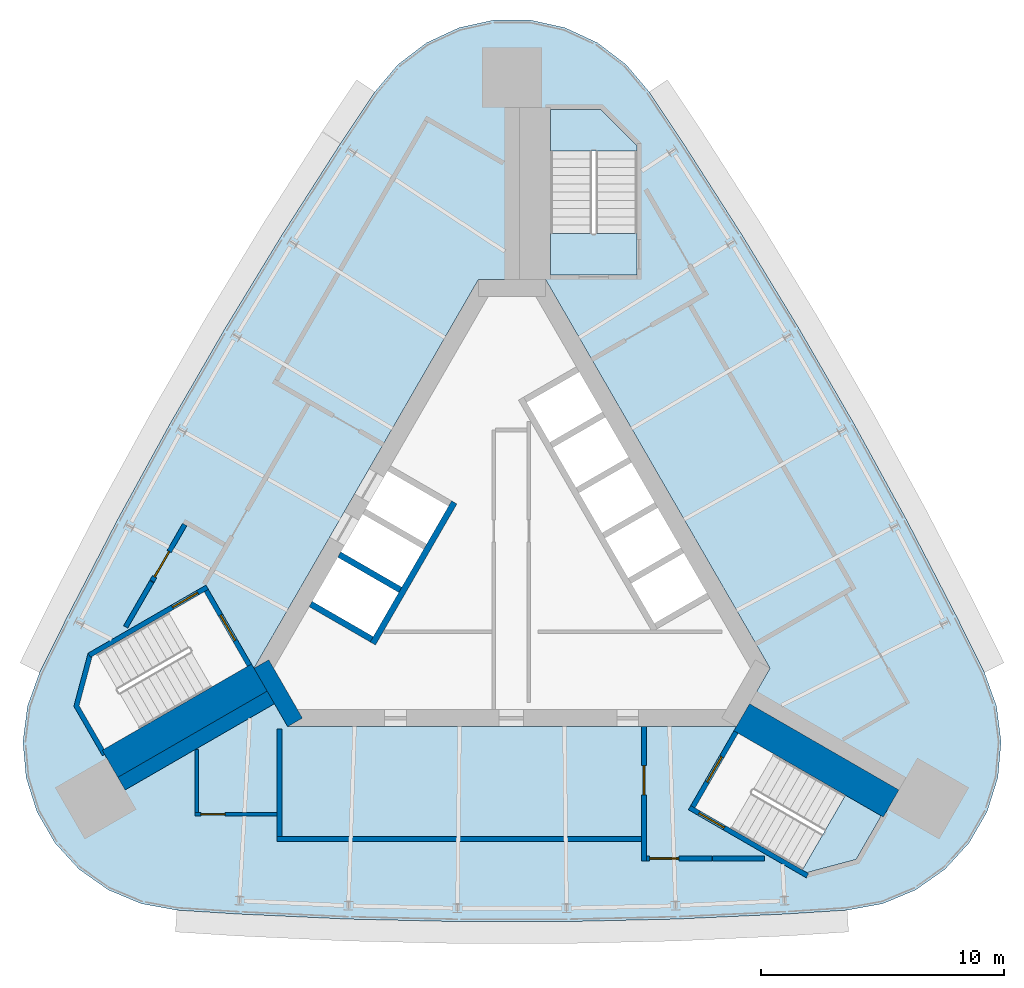
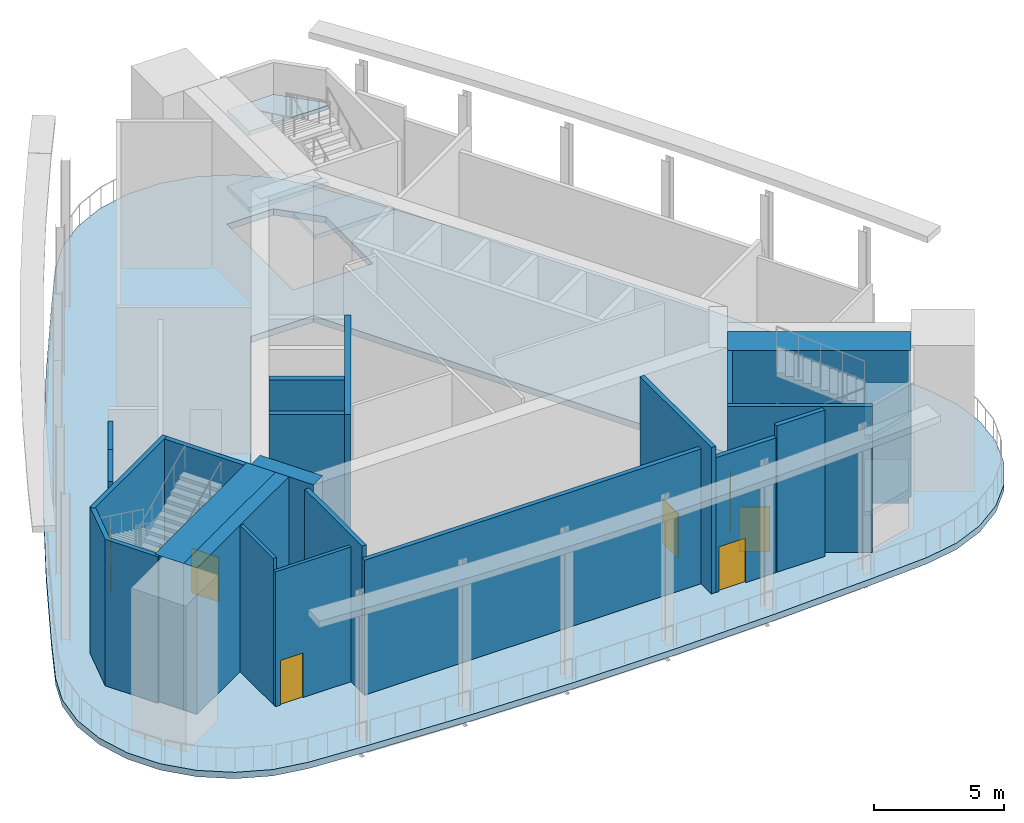
# One storey, part 2 of 7: 21 walls, 8 doors, 6 slabs, 8 openings, 2 elements without a shape of their own.
"""IFC4 building model written with IfcOpenShell, lengths in metres."""

import ifcopenshell
import ifcopenshell.guid

model = None  # the IFC model being written
_history = None  # IfcOwnerHistory: only IFC2X3 demands one
_inside = {}  # id of a spatial element -> (the spatial element, [elements in it])
_under = {}  # id of a project, library or spatial element -> (it, [spatial elements below it])
_declared = {}  # id of a project -> (the project, [libraries it declares])
_typed = {}  # id of a type object -> (the type object, [elements of that type])
_made_of = {}  # id of a material, layer set ... -> (it, [elements and type objects made of it])


def new_model(schema):
    """Start an empty IFC model of exactly this schema.

    Asked for "IFC4X3", IfcOpenShell would pick the latest addendum, in which some entities
    have other attributes; the version numbers below select the first issue.
    IFC2X3 requires an IfcOwnerHistory on every rooted entity: one is made here for all.
    """
    global model, _history
    if schema == "IFC4X3":
        model = ifcopenshell.file(schema_version=(4, 3, 0, 0))
    else:
        model = ifcopenshell.file(schema=schema)
    _inside.clear()
    _under.clear()
    _declared.clear()
    _typed.clear()
    _made_of.clear()
    _history = None
    if model.schema == "IFC2X3":
        org = make("IfcOrganization", Name="unknown")
        user = make(
            "IfcPersonAndOrganization",
            ThePerson=make("IfcPerson", FamilyName="unknown"),
            TheOrganization=org,
        )
        app = make(
            "IfcApplication",
            ApplicationDeveloper=org,
            Version="unknown",
            ApplicationFullName="unknown",
            ApplicationIdentifier="unknown",
        )
        _history = make(
            "IfcOwnerHistory",
            OwningUser=user,
            OwningApplication=app,
            ChangeAction="ADDED",
            CreationDate=0,
        )
    return model


def make(cls, **values):
    """One entity of the class cls with the attributes given. An attribute that is None is left unset."""
    return model.create_entity(
        cls, **{name: value for name, value in values.items() if value is not None}
    )


def rooted(cls, **values):
    """An entity with a GlobalId (a new one), such as an element, a storey or a relation."""
    return make(cls, GlobalId=ifcopenshell.guid.new(), OwnerHistory=_history, **values)


def si_unit(unit_type, name, prefix=None):
    """IfcSIUnit, for example si_unit("LENGTHUNIT", "METRE", prefix="MILLI")."""
    return make("IfcSIUnit", UnitType=unit_type, Prefix=prefix, Name=name)


def assignment(units):
    """IfcUnitAssignment: the units of a project."""
    return None if units is None else make("IfcUnitAssignment", Units=units)


def point(xyz):
    """IfcCartesianPoint."""
    return None if xyz is None else make("IfcCartesianPoint", Coordinates=xyz)


def direction(xyz):
    """IfcDirection."""
    return None if xyz is None else make("IfcDirection", DirectionRatios=xyz)


def frame(location, z_axis=None, x_axis=None):
    """IfcAxis2Placement3D, a coordinate frame: its origin and axes. An axis left out is left unset."""
    return make(
        "IfcAxis2Placement3D",
        Location=point(location),
        Axis=direction(z_axis),
        RefDirection=direction(x_axis),
    )


def frame_2d(location, x_axis=None):
    """IfcAxis2Placement2D, a coordinate frame in the plane: its origin and x axis."""
    return make(
        "IfcAxis2Placement2D", Location=point(location), RefDirection=direction(x_axis)
    )


def origin():
    """The frame at (0, 0, 0) with its axes left unset."""
    return frame((0.0, 0.0, 0.0))


def place(relative_to, where):
    """IfcLocalPlacement: puts the frame where relative to a parent placement (None: the world)."""
    return make(
        "IfcLocalPlacement", PlacementRelTo=relative_to, RelativePlacement=where
    )


def context(
    kind, dimensions, precision=None, world=None, true_north=None, identifier=None
):
    """IfcGeometricRepresentationContext, for example the 3D "Model" context."""
    return make(
        "IfcGeometricRepresentationContext",
        ContextIdentifier=identifier,
        ContextType=kind,
        CoordinateSpaceDimension=dimensions,
        Precision=precision,
        WorldCoordinateSystem=world,
        TrueNorth=true_north,
    )


def subcontext(parent, identifier, kind, view, scale=None):
    """IfcGeometricRepresentationSubContext, for example "Body" below "Model"."""
    return make(
        "IfcGeometricRepresentationSubContext",
        ContextIdentifier=identifier,
        ContextType=kind,
        ParentContext=parent,
        TargetScale=scale,
        TargetView=view,
    )


def project(units=None, contexts=None):
    """IfcProject with its units and contexts."""
    return rooted(
        "IfcProject",
        Name="project",
        RepresentationContexts=contexts,
        UnitsInContext=assignment(units),
    )


def spatial(cls, under=None, at=None, **own):
    """A site, building, storey or space (cls), placed at a placement, below another one or the project."""
    s = rooted(cls, ObjectPlacement=at, **own)
    if under is not None:
        _under.setdefault(under.id(), (under, []))[1].append(s)
    return s


def polyline(points):
    """IfcPolyline through the points."""
    return make("IfcPolyline", Points=[point(p) for p in points])


def profile(cls, at=None, kind="AREA", **sizes):
    """A parametric profile (cls). Its sizes go by their IFC names, for example OverallWidth=200.0."""
    return make(cls, ProfileType=kind, Position=at, **sizes)


def rectangle(**sizes):
    """IfcRectangleProfileDef."""
    return profile("IfcRectangleProfileDef", **sizes)


def outline(outer, holes=None, kind="AREA"):
    """IfcArbitraryClosedProfileDef: a profile drawn as a closed curve; with holes, ...WithVoids."""
    if holes is None:
        return make("IfcArbitraryClosedProfileDef", ProfileType=kind, OuterCurve=outer)
    return make(
        "IfcArbitraryProfileDefWithVoids",
        ProfileType=kind,
        OuterCurve=outer,
        InnerCurves=holes,
    )


def extrude(swept, where, along, depth):
    """IfcExtrudedAreaSolid: the profile swept, set in the frame where, extruded along a direction by depth."""
    return make(
        "IfcExtrudedAreaSolid",
        SweptArea=swept,
        Position=where,
        ExtrudedDirection=direction(along),
        Depth=depth,
    )


def shape(context_of_items, identifier, shape_type, items):
    """IfcShapeRepresentation: the items that make up one representation, for example the "Body"."""
    return make(
        "IfcShapeRepresentation",
        ContextOfItems=context_of_items,
        RepresentationIdentifier=identifier,
        RepresentationType=shape_type,
        Items=items,
    )


def material(Name=None, Category=None):
    """IfcMaterial."""
    return make("IfcMaterial", Name=Name, Category=Category)


def layer(
    of_material, thickness, ventilated=None, Name=None, Category=None, Priority=None
):
    """IfcMaterialLayer: one layer of a wall or slab, of a material (None: an air gap)."""
    return make(
        "IfcMaterialLayer",
        Material=of_material,
        LayerThickness=thickness,
        IsVentilated=ventilated,
        Name=Name,
        Category=Category,
        Priority=Priority,
    )


def layer_set(layers, Name=None):
    """IfcMaterialLayerSet."""
    return make("IfcMaterialLayerSet", MaterialLayers=layers, LayerSetName=Name)


def made_of(thing, what):
    """Note that an element or type object is made of a material, layer set ...; save() writes the relation."""
    if what is not None:
        _made_of.setdefault(what.id(), (what, []))[1].append(thing)
    return thing


def type_object(cls, material=None, **own):
    """A type object (cls), such as IfcWallType, which elements share."""
    return made_of(rooted(cls, **own), material)


def element(
    cls,
    number,
    at=None,
    inside=None,
    cuts=None,
    type_object=None,
    material=None,
    context=None,
    identifier="Body",
    shape_type=None,
    held_by="IfcProductDefinitionShape",
    body=None,
    shapes=None,
    **own,
):
    """One element of the class cls, such as IfcWall. Its Tag is "e" and its number.

    at: its placement. inside: the storey or other place that contains it. cuts: it is an
    opening in that element (IfcRelVoidsElement). A single representation is given by context,
    identifier, shape_type and body (its items); several are given by shapes. held_by: the class
    of the entity that holds the representations. save() writes the other relations.
    """
    e = rooted(cls, Tag="e%d" % number, ObjectPlacement=at, **own)
    if body is not None:
        shapes = [shape(context, identifier, shape_type, body)]
    if shapes is not None:
        e.Representation = make(held_by, Representations=shapes)
    if inside is not None:
        _inside.setdefault(inside.id(), (inside, []))[1].append(e)
    if cuts is not None:
        rooted(
            "IfcRelVoidsElement", RelatingBuildingElement=cuts, RelatedOpeningElement=e
        )
    if type_object is not None:
        _typed.setdefault(type_object.id(), (type_object, []))[1].append(e)
    return made_of(e, material)


def fill(opening, filler):
    """IfcRelFillsElement: the door or window that sits in an opening."""
    return rooted(
        "IfcRelFillsElement",
        RelatingOpeningElement=opening,
        RelatedBuildingElement=filler,
    )


def aggregate(whole, parts):
    """IfcRelAggregates: a whole, such as a stair, and the parts it consists of."""
    return rooted("IfcRelAggregates", RelatingObject=whole, RelatedObjects=parts)


def save(model, path):
    """Write the relations noted so far, then the file.

    IfcRelAggregates (storeys below a building ...), IfcRelContainedInSpatialStructure (elements
    in a storey), IfcRelDefinesByType, IfcRelAssociatesMaterial and IfcRelDeclares: one each for
    every whole, place, type object, material and project.
    """
    for whole, parts in _under.values():
        aggregate(whole, parts)
    for where, things in _inside.values():
        rooted(
            "IfcRelContainedInSpatialStructure",
            RelatedElements=things,
            RelatingStructure=where,
        )
    for kind, things in _typed.values():
        rooted("IfcRelDefinesByType", RelatedObjects=things, RelatingType=kind)
    for what, things in _made_of.values():
        rooted("IfcRelAssociatesMaterial", RelatedObjects=things, RelatingMaterial=what)
    for by, libraries in _declared.values():
        rooted("IfcRelDeclares", RelatingContext=by, RelatedDefinitions=libraries)
    model.write(path)


model = new_model("IFC4")

# Units and contexts
model_context = context("Model", 3, precision=1e-05, world=origin(), true_north=direction((0.0, 1.0)))
body_context = subcontext(model_context, "Body", "Model", "MODEL_VIEW")
ifc_project = project(units=[si_unit("LENGTHUNIT", "METRE"), si_unit("AREAUNIT", "SQUARE_METRE"), si_unit("VOLUMEUNIT", "CUBIC_METRE"), si_unit("PLANEANGLEUNIT", "RADIAN"), si_unit("MASSUNIT", "GRAM", prefix="KILO")], contexts=[model_context])

# Site, building, storey
site_placement = place(None, origin())
site = spatial("IfcSite", under=ifc_project, at=site_placement, CompositionType="ELEMENT")
building_placement = place(site_placement, origin())
building = spatial("IfcBuilding", under=site, at=building_placement, Name="Noor Cloister Tower", CompositionType="ELEMENT")
storey_placement = place(building_placement, frame((0.0, 0.0, 250.800048828125)))
storey = spatial("IfcBuildingStorey", under=building, at=storey_placement, Name="L65", CompositionType="ELEMENT", Elevation=250.800048828125)

# Slab
ifc_material_1 = material(Name="Concrete C40/50", Category="concrete")
ifc_layer_1 = layer(ifc_material_1, 0.300048828125)
ifc_layer_set_1 = layer_set([ifc_layer_1], Name="Floor slab 300 C40/50")
slab_type_1 = type_object("IfcSlabType", Name="Floor slab 300 C40/50", PredefinedType="FLOOR", material=ifc_layer_set_1)
slab_1_placement = place(storey_placement, frame((0.0, 0.0, -0.300048828125)))
element("IfcSlab", 1, at=slab_1_placement, inside=storey, type_object=slab_type_1, Name="Floor slab L65", PredefinedType="FLOOR", context=body_context, shape_type="SweptSolid", body=[
    extrude(outline(polyline([(5.643798828125, 19.180419921875), (4.690673828125, 20.306640625), (3.51708984375, 21.200927734375), (2.178466796875, 21.821533203125), (0.73779296875, 22.139404296875), (-0.73779296875, 22.139404296875), (-2.178466796875, 21.821533203125), (-3.51708984375, 21.200927734375), (-4.690673828125, 20.306640625), (-5.643798828125, 19.180419921875), (-7.05712890625, 17.0576171875), (-9.4833984375, 13.267822265625), (-11.822021484375, 9.423583984375), (-14.072021484375, 5.5263671875), (-16.232177734375, 1.578857421875), (-18.301025390625, -2.417236328125), (-19.4326171875, -4.702392578125), (-19.931396484375, -6.091064453125), (-20.119140625, -7.5546875), (-19.9873046875, -9.024169921875), (-19.542236328125, -10.430908203125), (-18.804443359375, -11.70849609375), (-17.808837890625, -12.797607421875), (-16.60205078125, -13.646484375), (-15.24072265625, -14.21533203125), (-13.788818359375, -14.47802734375), (-11.243896484375, -14.640625), (-6.748779296875, -14.846923828125), (-2.25, -14.949951171875), (2.25, -14.949951171875), (6.748779296875, -14.846923828125), (11.243896484375, -14.640625), (13.788818359375, -14.47802734375), (15.24072265625, -14.21533203125), (16.60205078125, -13.646484375), (17.808837890625, -12.797607421875), (18.804443359375, -11.70849609375), (19.542236328125, -10.430908203125), (19.9873046875, -9.024169921875), (20.119140625, -7.5546875), (19.931396484375, -6.091064453125), (19.4326171875, -4.702392578125), (18.301025390625, -2.417236328125), (16.232177734375, 1.578857421875), (14.072021484375, 5.5263671875), (11.822021484375, 9.423583984375), (9.4833984375, 13.267822265625), (7.05712890625, 17.0576171875), (5.643798828125, 19.180419921875)]), holes=[polyline([(8.999755859375, -11.126220703125), (12.131591796875, -12.934326171875), (14.1572265625, -12.3916015625), (15.19091796875, -10.601318359375), (10.774658203125, -8.0517578125), (8.999755859375, -11.126220703125)]), polyline([(-17.81005859375, -6.064697265625), (-16.776611328125, -7.85498046875), (-12.3603515625, -5.305419921875), (-14.13525390625, -2.23095703125), (-16.662841796875, -3.690185546875), (-17.267333984375, -4.039306640625), (-17.81005859375, -6.064697265625)]), polyline([(-10.6142578125, -4.5283203125), (-9.228759765625, -6.92822265625), (9.228759765625, -6.92822265625), (10.6142578125, -4.5283203125), (1.3857421875, 11.456298828125), (-1.3857421875, 11.456298828125), (-10.6142578125, -4.5283203125)]), polyline([(3.65283203125, 18.456298828125), (1.585693359375, 18.456298828125), (1.585693359375, 13.35693359375), (5.135498046875, 13.35693359375), (5.135498046875, 16.9736328125), (3.65283203125, 18.456298828125)])]), origin(), (0.0, 0.0, 1.0), 0.300048828125),
])

# Stair, slabs
ifc_material_2 = material(Name="Concrete C40/50", Category="concrete")
stair_type = type_object("IfcStairType", Name="Exit stair 44 risers", PredefinedType="HALF_TURN_STAIR", material=ifc_material_2)
stair_1_placement = place(storey_placement, origin())
stair_1 = element("IfcStair", 2, at=stair_1_placement, inside=storey, type_object=stair_type, Name="Exit stair ST1 L65", PredefinedType="HALF_TURN_STAIR")
ifc_material_3 = material(Name="Concrete C40/50", Category="concrete")
ifc_layer_2 = layer(ifc_material_3, 0.199951171875)
ifc_layer_set_2 = layer_set([ifc_layer_2], Name="Stair landing 200 C40/50")
slab_type_2 = type_object("IfcSlabType", Name="Stair landing 200 C40/50", PredefinedType="LANDING", material=ifc_layer_set_2)
slab_2_placement = place(storey_placement, frame((0.0, 0.0, 1.599853515625)))
slab_2 = element("IfcSlab", 3, at=slab_2_placement, type_object=slab_type_2, Name="ST1 landing 1", PredefinedType="LANDING", context=body_context, shape_type="SweptSolid", body=[
    extrude(outline(polyline([(5.135498046875, 16.755859375), (5.135498046875, 16.9736328125), (3.65283203125, 18.456298828125), (1.585693359375, 18.456298828125), (1.585693359375, 16.755859375), (5.135498046875, 16.755859375)])), origin(), (0.0, 0.0, 1.0), 0.2001953125),
])
slab_3_placement = place(storey_placement, frame((0.0, 0.0, 3.39990234375)))
slab_3 = element("IfcSlab", 4, at=slab_3_placement, type_object=slab_type_2, Name="ST1 landing 2", PredefinedType="LANDING", context=body_context, shape_type="SweptSolid", body=[
    extrude(outline(polyline([(1.585693359375, 13.35693359375), (1.585693359375, 11.656494140625), (5.135498046875, 11.656494140625), (5.135498046875, 13.35693359375), (1.585693359375, 13.35693359375)])), origin(), (0.0, 0.0, 1.0), 0.199951171875),
])
slab_4_placement = place(storey_placement, frame((0.0, 0.0, 5.199951171875)))
slab_4 = element("IfcSlab", 5, at=slab_4_placement, type_object=slab_type_2, Name="ST1 landing 3", PredefinedType="LANDING", context=body_context, shape_type="SweptSolid", body=[
    extrude(outline(polyline([(5.135498046875, 16.755859375), (5.135498046875, 16.9736328125), (3.65283203125, 18.456298828125), (1.585693359375, 18.456298828125), (1.585693359375, 16.755859375), (5.135498046875, 16.755859375)])), origin(), (0.0, 0.0, 1.0), 0.199951171875),
])
aggregate(stair_1, [slab_2, slab_3, slab_4])

stair_2_placement = place(storey_placement, origin())
stair_2 = element("IfcStair", 6, at=stair_2_placement, inside=storey, type_object=stair_type, Name="Exit stair ST3 L65", PredefinedType="HALF_TURN_STAIR")
slab_5_placement = place(storey_placement, frame((0.0, 0.0, 1.599853515625)))
slab_5 = element("IfcSlab", 7, at=slab_5_placement, type_object=slab_type_2, Name="ST3 landing 1", PredefinedType="LANDING", context=body_context, shape_type="SweptSolid", body=[
    extrude(outline(polyline([(11.943115234375, -12.825439453125), (12.131591796875, -12.934326171875), (14.1572265625, -12.3916015625), (15.19091796875, -10.601318359375), (13.718017578125, -9.751220703125), (11.943115234375, -12.825439453125)])), origin(), (0.0, 0.0, 1.0), 0.2001953125),
])
slab_6_placement = place(storey_placement, frame((0.0, 0.0, 5.199951171875)))
slab_6 = element("IfcSlab", 8, at=slab_6_placement, type_object=slab_type_2, Name="ST3 landing 3", PredefinedType="LANDING", context=body_context, shape_type="SweptSolid", body=[
    extrude(outline(polyline([(11.943115234375, -12.825439453125), (12.131591796875, -12.934326171875), (14.1572265625, -12.3916015625), (15.19091796875, -10.601318359375), (13.718017578125, -9.751220703125), (11.943115234375, -12.825439453125)])), origin(), (0.0, 0.0, 1.0), 0.199951171875),
])
aggregate(stair_2, [slab_5, slab_6])

# Walls
ifc_material_4 = material(Name="Concrete C60/75", Category="concrete")
ifc_layer_3 = layer(ifc_material_4, 0.60009765625)
ifc_layer_set_3 = layer_set([ifc_layer_3], Name="Buttress wall 600 C60/75")
wall_type_1 = type_object("IfcWallType", Name="Buttress wall 600 C60/75", PredefinedType="SHEAR", material=ifc_layer_set_3)
wall_1_placement = place(storey_placement, frame((-9.921630859375, -5.728271484375, -0.300048828125), z_axis=(0.0, 0.0, 1.0), x_axis=(-0.866029688112, -0.499992579254, 0.0)))
element("IfcWall", 9, at=wall_1_placement, inside=storey, type_object=wall_type_1, Name="Buttress wall SW L65", PredefinedType="SHEAR", context=body_context, shape_type="SweptSolid", body=[
    extrude(rectangle(XDim=7.09326171875, YDim=0.60009765625, at=frame_2d((3.546630859375, 0.0))), origin(), (0.0, 0.0, 1.0), 7.199951171875),
])
ifc_material_5 = material(Name="Concrete C60/75", Category="concrete")
ifc_layer_4 = layer(ifc_material_5, 0.699951171875)
ifc_layer_set_4 = layer_set([ifc_layer_4], Name="Core wall 700 C60/75")
wall_type_2 = type_object("IfcWallType", Name="Core wall 700 C60/75", PredefinedType="SHEAR", material=ifc_layer_set_4)
wall_2_placement = place(storey_placement, frame((-10.311279296875, -4.353271484375, -0.300048828125), z_axis=(0.0, 0.0, 1.0), x_axis=(0.500042739161, -0.866000726912, 0.0)))
element("IfcWall", 10, at=wall_2_placement, inside=storey, type_object=wall_type_2, Name="Core wall L65 6", PredefinedType="SHEAR", context=body_context, shape_type="SweptSolid", body=[
    extrude(rectangle(XDim=2.771240234375, YDim=0.699951171875, at=frame_2d((1.3857421875, 0.0))), origin(), (0.0, 0.0, 1.0), 7.199951171875),
])
ifc_material_6 = material(Name="Concrete C60/75", Category="concrete")
ifc_layer_5 = layer(ifc_material_6, 0.25)
ifc_layer_set_5 = layer_set([ifc_layer_5], Name="Shaft wall 250 C60/75")
wall_type_3 = type_object("IfcWallType", Name="Shaft wall 250 C60/75", PredefinedType="PARTITIONING", material=ifc_layer_set_5)
for number, where, z_axis, x_axis, name in (
    (11, (-7.106201171875, 0.14794921875, -0.300048828125), (0.0, 0.0, 1.0), (0.866032775405, -0.499987231761, 0.0), "Lift shaft wall L65 NW 5"),
    (12, (-8.28125, -1.88720703125, -0.300048828125), (0.0, 0.0, 1.0), (0.866032775405, -0.499987231761, 0.0), "Lift shaft wall L65 NW 6"),
):
    element("IfcWall", number, at=place(storey_placement, frame(where, z_axis=z_axis, x_axis=x_axis)), inside=storey, type_object=wall_type_3, Name=name, PredefinedType="PARTITIONING", context=body_context, shape_type="SweptSolid", body=[
        extrude(rectangle(XDim=2.89990234375, YDim=0.25, at=frame_2d((1.449951171875, 0.0))), origin(), (0.0, 0.0, 1.0), 7.199951171875),
    ])
wall_3_placement = place(storey_placement, frame((-2.3740234375, 2.29443359375, 0.0), z_axis=(0.0, 0.0, 1.0), x_axis=(-0.500003174267, -0.866023571113, 0.0)))
element("IfcWall", 13, at=wall_3_placement, inside=storey, type_object=wall_type_3, Name="Lift shaft back wall L65 NW", PredefinedType="PARTITIONING", context=body_context, shape_type="SweptSolid", body=[
    extrude(rectangle(XDim=6.7001953125, YDim=0.25, at=frame_2d((3.35009765625, 0.0))), origin(), (0.0, 0.0, 1.0), 6.89990234375),
])
ifc_material_7 = material(Name="Concrete C60/75", Category="concrete")
ifc_layer_6 = layer(ifc_material_7, 1.285888671875)
ifc_layer_set_6 = layer_set([ifc_layer_6], Name="Stair enclosure wall 1286 C60/75")
wall_type_4 = type_object("IfcWallType", Name="Stair enclosure wall 1286 C60/75", PredefinedType="SHEAR", material=ifc_layer_set_6)
for number, where, z_axis, x_axis, name in (
    (14, (-10.392822265625, -4.91162109375, -0.300048828125), (0.0, 0.0, 1.0), (-0.866023389271, -0.500003489223, 0.0), "Stair enclosure wall ST2 L65 riser side"),
    (15, (9.4501953125, -6.544677734375, -0.300048828125), (0.0, 0.0, 1.0), (0.866023389271, -0.500003489223, 0.0), "Stair enclosure wall ST3 L65 riser side"),
):
    element("IfcWall", number, at=place(storey_placement, frame(where, z_axis=z_axis, x_axis=x_axis)), inside=storey, type_object=wall_type_4, Name=name, PredefinedType="SHEAR", context=body_context, shape_type="SweptSolid", body=[
        extrude(rectangle(XDim=7.09375, YDim=1.28564453125, at=frame_2d((3.546875, 0.0))), origin(), (0.0, 0.0, 1.0), 7.199951171875),
    ])

# Wall, opening, door
ifc_material_8 = material(Name="Concrete C60/75", Category="concrete")
ifc_layer_7 = layer(ifc_material_8, 0.199951171875)
ifc_layer_set_7 = layer_set([ifc_layer_7], Name="Stair enclosure wall 200 C60/75")
wall_type_5 = type_object("IfcWallType", Name="Stair enclosure wall 200 C60/75", PredefinedType="SHEAR", material=ifc_layer_set_7)
wall_4_placement = place(storey_placement, frame((-12.575927734375, -1.33056640625, -0.300048828125), z_axis=(0.0, 0.0, 1.0), x_axis=(0.499970499736, -0.8660424351, 0.0)))
wall_4 = element("IfcWall", 16, at=wall_4_placement, inside=storey, type_object=wall_type_5, Name="Stair enclosure wall ST2 L65 near end", PredefinedType="SHEAR", context=body_context, shape_type="SweptSolid", body=[
    extrude(rectangle(XDim=3.550048828125, YDim=0.199951171875, at=frame_2d((1.77490234375, 0.0))), origin(), (0.0, 0.0, 1.0), 7.199951171875),
])
opening_1_placement = place(wall_4_placement, frame((1.175048828125, 0.0, 0.300048828125)))
opening_1 = element("IfcOpeningElement", 17, at=opening_1_placement, cuts=wall_4, Name="Opening L65-ST2L", PredefinedType="OPENING", context=body_context, shape_type="SweptSolid", body=[
    extrude(rectangle(XDim=1.199951171875, YDim=2.10009765625, at=frame_2d((0.60009765625, 1.050048828125))), frame((0.0, 0.10986328125, 0.0), z_axis=(0.0, -1.0, 0.0), x_axis=(1.0, 0.0, 0.0)), (0.0, 0.0, 1.0), 0.219970703125),
])
ifc_material_9 = material(Name="Steel", Category="steel")
door_type_1 = type_object("IfcDoorType", Name="Stair door 1200 x 2100 FD120", OperationType="SINGLE_SWING_LEFT", PredefinedType="DOOR", material=ifc_material_9)
door_1_placement = place(opening_1_placement, origin())
door_1 = element("IfcDoor", 18, at=door_1_placement, inside=storey, type_object=door_type_1, Name="Stair door ST2 L65", OperationType="SINGLE_SWING_RIGHT", OverallHeight=2.10009765625, OverallWidth=1.199951171875, PredefinedType="DOOR", context=body_context, shape_type="SweptSolid", body=[
    extrude(rectangle(XDim=1.199951171875, YDim=2.10009765625, at=frame_2d((0.60009765625, 1.050048828125))), frame((0.0, 0.02490234375, 0.0), z_axis=(0.0, -1.0, 0.0), x_axis=(1.0, 0.0, 0.0)), (0.0, 0.0, 1.0), 0.050048828125),
])
fill(opening_1, door_1)

wall_5_placement = place(storey_placement, frame((-12.539306640625, -1.194091796875, -0.300048828125), z_axis=(0.0, 0.0, 1.0), x_axis=(-0.866045472092, -0.499965239061, 0.0)))
wall_5 = element("IfcWall", 19, at=wall_5_placement, inside=storey, type_object=wall_type_5, Name="Stair enclosure wall ST2 L65 outer side", PredefinedType="SHEAR", context=body_context, shape_type="SweptSolid", body=[
    extrude(rectangle(XDim=5.60009765625, YDim=0.199951171875, at=frame_2d((2.800048828125, 0.0))), origin(), (0.0, 0.0, 1.0), 7.199951171875),
])
opening_2_placement = place(wall_5_placement, frame((0.449951171875, 0.0, 0.300048828125)))
opening_2 = element("IfcOpeningElement", 20, at=opening_2_placement, cuts=wall_5, Name="Opening L65-ST2C", PredefinedType="OPENING", context=body_context, shape_type="SweptSolid", body=[
    extrude(rectangle(XDim=1.199951171875, YDim=2.10009765625, at=frame_2d((0.60009765625, 1.050048828125))), frame((0.0, 0.10986328125, 0.0), z_axis=(0.0, -1.0, 0.0), x_axis=(1.0, 0.0, 0.0)), (0.0, 0.0, 1.0), 0.219970703125),
])
door_2_placement = place(opening_2_placement, origin())
door_2 = element("IfcDoor", 21, at=door_2_placement, inside=storey, type_object=door_type_1, Name="Stair door ST2 L65", OperationType="SINGLE_SWING_LEFT", OverallHeight=2.10009765625, OverallWidth=1.199951171875, PredefinedType="DOOR", context=body_context, shape_type="SweptSolid", body=[
    extrude(rectangle(XDim=1.199951171875, YDim=2.10009765625, at=frame_2d((0.60009765625, 1.050048828125))), frame((0.0, 0.02490234375, 0.0), z_axis=(0.0, -1.0, 0.0), x_axis=(1.0, 0.0, 0.0)), (0.0, 0.0, 1.0), 0.050048828125),
])
fill(opening_2, door_2)

wall_6_placement = place(storey_placement, frame((7.440185546875, -10.225830078125, -0.300048828125), z_axis=(0.0, 0.0, 1.0), x_axis=(0.500022077904, 0.866012656725, 0.0)))
wall_6 = element("IfcWall", 22, at=wall_6_placement, inside=storey, type_object=wall_type_5, Name="Stair enclosure wall ST3 L65 near end", PredefinedType="SHEAR", context=body_context, shape_type="SweptSolid", body=[
    extrude(rectangle(XDim=3.550048828125, YDim=0.199951171875, at=frame_2d((1.77490234375, 0.0))), origin(), (0.0, 0.0, 1.0), 7.199951171875),
])
opening_3_placement = place(wall_6_placement, frame((1.175048828125, 0.0, 0.300048828125)))
opening_3 = element("IfcOpeningElement", 23, at=opening_3_placement, cuts=wall_6, Name="Opening L65-ST3L", PredefinedType="OPENING", context=body_context, shape_type="SweptSolid", body=[
    extrude(rectangle(XDim=1.199951171875, YDim=2.10009765625, at=frame_2d((0.60009765625, 1.050048828125))), frame((0.0, 0.10986328125, 0.0), z_axis=(0.0, -1.0, 0.0), x_axis=(1.0, 0.0, 0.0)), (0.0, 0.0, 1.0), 0.219970703125),
])
door_3_placement = place(opening_3_placement, origin())
door_3 = element("IfcDoor", 24, at=door_3_placement, inside=storey, type_object=door_type_1, Name="Stair door ST3 L65", OperationType="SINGLE_SWING_RIGHT", OverallHeight=2.10009765625, OverallWidth=1.199951171875, PredefinedType="DOOR", context=body_context, shape_type="SweptSolid", body=[
    extrude(rectangle(XDim=1.199951171875, YDim=2.10009765625, at=frame_2d((0.60009765625, 1.050048828125))), frame((0.0, 0.02490234375, 0.0), z_axis=(0.0, -1.0, 0.0), x_axis=(1.0, 0.0, 0.0)), (0.0, 0.0, 1.0), 0.050048828125),
])
fill(opening_3, door_3)

wall_7_placement = place(storey_placement, frame((7.3037109375, -10.262451171875, -0.300048828125), z_axis=(0.0, 0.0, 1.0), x_axis=(0.866026594901, -0.49999793692, 0.0)))
wall_7 = element("IfcWall", 25, at=wall_7_placement, inside=storey, type_object=wall_type_5, Name="Stair enclosure wall ST3 L65 outer side", PredefinedType="SHEAR", context=body_context, shape_type="SweptSolid", body=[
    extrude(rectangle(XDim=5.60009765625, YDim=0.199951171875, at=frame_2d((2.800048828125, 0.0))), origin(), (0.0, 0.0, 1.0), 7.199951171875),
])
opening_4_placement = place(wall_7_placement, frame((0.449951171875, 0.0, 0.300048828125)))
opening_4 = element("IfcOpeningElement", 26, at=opening_4_placement, cuts=wall_7, Name="Opening L65-ST3C", PredefinedType="OPENING", context=body_context, shape_type="SweptSolid", body=[
    extrude(rectangle(XDim=1.199951171875, YDim=2.10009765625, at=frame_2d((0.60009765625, 1.050048828125))), frame((0.0, 0.10986328125, 0.0), z_axis=(0.0, -1.0, 0.0), x_axis=(1.0, 0.0, 0.0)), (0.0, 0.0, 1.0), 0.219970703125),
])
door_4_placement = place(opening_4_placement, origin())
door_4 = element("IfcDoor", 27, at=door_4_placement, inside=storey, type_object=door_type_1, Name="Stair door ST3 L65", OperationType="SINGLE_SWING_LEFT", OverallHeight=2.10009765625, OverallWidth=1.199951171875, PredefinedType="DOOR", context=body_context, shape_type="SweptSolid", body=[
    extrude(rectangle(XDim=1.199951171875, YDim=2.10009765625, at=frame_2d((0.60009765625, 1.050048828125))), frame((0.0, 0.02490234375, 0.0), z_axis=(0.0, -1.0, 0.0), x_axis=(1.0, 0.0, 0.0)), (0.0, 0.0, 1.0), 0.050048828125),
])
fill(opening_4, door_4)

# Wall
ifc_material_10 = material(Name="Concrete C60/75", Category="concrete")
wall_type_6 = type_object("IfcWallType", Name="Stair far end wall C60/75", PredefinedType="SHEAR", material=ifc_material_10)
wall_8_placement = place(storey_placement, frame((0.0, 0.0, -0.300048828125)))
element("IfcWall", 28, at=wall_8_placement, inside=storey, type_object=wall_type_6, Name="Stair enclosure wall ST2 L65 far end", PredefinedType="SHEAR", context=body_context, shape_type="SweptSolid", body=[
    extrude(outline(polyline([(-17.439208984375, -3.907470703125), (-18.024658203125, -6.093017578125), (-16.849609375, -8.128173828125), (-16.757568359375, -8.074951171875), (-16.857666015625, -7.90185546875), (-16.857666015625, -7.90185546875), (-16.857666015625, -7.90185546875), (-16.857666015625, -7.90185546875), (-16.857666015625, -7.90185546875), (-16.857666015625, -7.90185546875), (-16.857666015625, -7.90185546875), (-16.857666015625, -7.90185546875), (-16.857666015625, -7.90185546875), (-16.857666015625, -7.90185546875), (-16.857666015625, -7.90185546875), (-16.857666015625, -7.90185546875), (-16.857666015625, -7.90185546875), (-16.857666015625, -7.90185546875), (-16.857666015625, -7.90185546875), (-16.857666015625, -7.90185546875), (-16.857666015625, -7.90185546875), (-16.776611328125, -7.85498046875), (-17.81005859375, -6.064697265625), (-17.267333984375, -4.039306640625), (-17.339111328125, -4.08056640625), (-17.339111328125, -4.08056640625), (-17.339111328125, -4.08056640625), (-17.339111328125, -4.08056640625), (-17.339111328125, -4.08056640625), (-17.339111328125, -4.08056640625), (-17.339111328125, -4.08056640625), (-17.339111328125, -4.08056640625), (-17.339111328125, -4.08056640625), (-17.339111328125, -4.08056640625), (-17.339111328125, -4.08056640625), (-17.339111328125, -4.08056640625), (-17.339111328125, -4.08056640625), (-17.339111328125, -4.08056640625), (-17.339111328125, -4.08056640625), (-17.339111328125, -4.08056640625), (-17.339111328125, -4.08056640625), (-17.439208984375, -3.907470703125)])), origin(), (0.0, 0.0, 1.0), 7.199951171875),
])

# Wall, opening, door
ifc_material_11 = material(Name="Fire-rated gypsum board partition on steel studs, 150 mm", Category="steel")
ifc_layer_8 = layer(ifc_material_11, 0.14990234375)
ifc_layer_set_8 = layer_set([ifc_layer_8], Name="Upper floor corridor wall 150")
wall_type_7 = type_object("IfcWallType", Name="Upper floor corridor wall 150", PredefinedType="PARTITIONING", material=ifc_layer_set_8)
wall_9_placement = place(storey_placement, frame((-13.04150390625, -10.5283203125, 0.0), z_axis=(0.0, 0.0, 1.0), x_axis=(1.0, 0.0, 0.0)))
wall_9 = element("IfcWall", 29, at=wall_9_placement, inside=storey, type_object=wall_type_7, Name="Upper floor corridor wall 150 L65 013", PredefinedType="PARTITIONING", context=body_context, shape_type="SweptSolid", body=[
    extrude(rectangle(XDim=3.375, YDim=0.14990234375, at=frame_2d((1.6875, 0.0))), origin(), (0.0, 0.0, 1.0), 6.35205078125),
])
opening_5_placement = place(wall_9_placement, frame((0.241455078125, 0.0, 0.0)))
opening_5 = element("IfcOpeningElement", 30, at=opening_5_placement, cuts=wall_9, Name="Opening L65-006", PredefinedType="OPENING", context=body_context, shape_type="SweptSolid", body=[
    extrude(rectangle(XDim=1.0, YDim=2.10009765625, at=frame_2d((0.5, 1.050048828125))), frame((0.0, 0.0849609375, 0.0), z_axis=(0.0, -1.0, 0.0), x_axis=(1.0, 0.0, 0.0)), (0.0, 0.0, 1.0), 0.169921875),
])
ifc_material_12 = material(Name="Timber door leaf with steel frame", Category="steel")
door_type_2 = type_object("IfcDoorType", Name="Staff room door 1000", OperationType="NOTDEFINED", PredefinedType="DOOR", material=ifc_material_12)
door_5_placement = place(opening_5_placement, origin())
door_5 = element("IfcDoor", 31, at=door_5_placement, inside=storey, type_object=door_type_2, Name="Staff room door 1000 L65-006", OperationType="SINGLE_SWING_LEFT", OverallHeight=2.10009765625, OverallWidth=1.0, PredefinedType="DOOR", context=body_context, shape_type="SweptSolid", body=[
    extrude(rectangle(XDim=1.0, YDim=2.10009765625, at=frame_2d((0.5, 1.050048828125))), frame((0.0, 0.02490234375, 0.0), z_axis=(0.0, -1.0, 0.0), x_axis=(1.0, 0.0, 0.0)), (0.0, 0.0, 1.0), 0.050048828125),
])
fill(opening_5, door_5)

# Wall
wall_10_placement = place(storey_placement, frame((-12.96630859375, -7.8759765625, 0.0), z_axis=(0.0, 0.0, 1.0), x_axis=(0.0, -1.0, 0.0)))
element("IfcWall", 32, at=wall_10_placement, inside=storey, type_object=wall_type_7, Name="Upper floor corridor wall 150 L65 020", PredefinedType="PARTITIONING", context=body_context, shape_type="SweptSolid", body=[
    extrude(rectangle(XDim=2.5771484375, YDim=0.14990234375, at=frame_2d((1.28857421875, 0.0))), origin(), (0.0, 0.0, 1.0), 6.89990234375),
])

# Wall, opening, door
ifc_material_13 = material(Name="Concrete block wall, 200 mm", Category="concrete")
ifc_layer_9 = layer(ifc_material_13, 0.199951171875)
ifc_layer_set_9 = layer_set([ifc_layer_9], Name="Upper floor plant room wall 200")
wall_type_8 = type_object("IfcWallType", Name="Upper floor plant room wall 200", PredefinedType="PARTITIONING", material=ifc_layer_set_9)
wall_11_placement = place(storey_placement, frame((-13.462158203125, 1.3828125, 0.0), z_axis=(0.0, 0.0, 1.0), x_axis=(-0.500000452315, -0.86602514264, 0.0)))
wall_11 = element("IfcWall", 33, at=wall_11_placement, inside=storey, type_object=wall_type_8, Name="Upper floor plant room wall 200 L65 004", PredefinedType="PARTITIONING", context=body_context, shape_type="SweptSolid", body=[
    extrude(rectangle(XDim=2.68603515625, YDim=0.199951171875, at=frame_2d((1.343017578125, 0.0))), origin(), (0.0, 0.0, 1.0), 6.35205078125),
])
opening_6_placement = place(wall_11_placement, frame((1.2783203125, 0.0, 0.0)))
opening_6 = element("IfcOpeningElement", 34, at=opening_6_placement, cuts=wall_11, Name="Opening L65-001", PredefinedType="OPENING", context=body_context, shape_type="SweptSolid", body=[
    extrude(rectangle(XDim=1.199951171875, YDim=2.10009765625, at=frame_2d((0.60009765625, 1.050048828125))), frame((0.0, 0.10986328125, 0.0), z_axis=(0.0, -1.0, 0.0), x_axis=(1.0, 0.0, 0.0)), (0.0, 0.0, 1.0), 0.219970703125),
])
ifc_material_14 = material(Name="Timber door leaf with steel frame", Category="steel")
door_type_3 = type_object("IfcDoorType", Name="Protected lobby door 1200", OperationType="NOTDEFINED", PredefinedType="DOOR", material=ifc_material_14)
door_6_placement = place(opening_6_placement, origin())
door_6 = element("IfcDoor", 35, at=door_6_placement, inside=storey, type_object=door_type_3, Name="Protected lobby door 1200 L65-001", OperationType="SINGLE_SWING_RIGHT", OverallHeight=2.10009765625, OverallWidth=1.199951171875, PredefinedType="DOOR", context=body_context, shape_type="SweptSolid", body=[
    extrude(rectangle(XDim=1.199951171875, YDim=2.10009765625, at=frame_2d((0.60009765625, 1.050048828125))), frame((0.0, 0.02490234375, 0.0), z_axis=(0.0, -1.0, 0.0), x_axis=(1.0, 0.0, 0.0)), (0.0, 0.0, 1.0), 0.050048828125),
])
fill(opening_6, door_6)

# Wall
wall_12_placement = place(storey_placement, frame((-14.820556640625, -0.9697265625, 0.0), z_axis=(0.0, 0.0, 1.0), x_axis=(-0.49992632152, -0.866067937896, 0.0)))
element("IfcWall", 36, at=wall_12_placement, inside=storey, type_object=wall_type_8, Name="Upper floor plant room wall 200 L65 005", PredefinedType="PARTITIONING", context=body_context, shape_type="SweptSolid", body=[
    extrude(rectangle(XDim=2.142333984375, YDim=0.199951171875, at=frame_2d((1.0712890625, 0.0))), origin(), (0.0, 0.0, 1.0), 6.89990234375),
])

# Wall, opening, door
wall_13_placement = place(storey_placement, frame((5.43359375, -6.92822265625, 0.0), z_axis=(0.0, 0.0, 1.0), x_axis=(0.0, -1.0, 0.0)))
wall_13 = element("IfcWall", 37, at=wall_13_placement, inside=storey, type_object=wall_type_8, Name="Upper floor plant room wall 200 L65 008", PredefinedType="PARTITIONING", context=body_context, shape_type="SweptSolid", body=[
    extrude(rectangle(XDim=5.521728515625, YDim=0.199951171875, at=frame_2d((2.7607421875, 0.0))), origin(), (0.0, 0.0, 1.0), 6.89990234375),
])
opening_7_placement = place(wall_13_placement, frame((1.606201171875, 0.0, 0.0)))
opening_7 = element("IfcOpeningElement", 38, at=opening_7_placement, cuts=wall_13, Name="Opening L65-005", PredefinedType="OPENING", context=body_context, shape_type="SweptSolid", body=[
    extrude(rectangle(XDim=1.199951171875, YDim=2.10009765625, at=frame_2d((0.60009765625, 1.050048828125))), frame((0.0, 0.10986328125, 0.0), z_axis=(0.0, -1.0, 0.0), x_axis=(1.0, 0.0, 0.0)), (0.0, 0.0, 1.0), 0.219970703125),
])
door_7_placement = place(opening_7_placement, origin())
door_7 = element("IfcDoor", 39, at=door_7_placement, inside=storey, type_object=door_type_3, Name="Protected lobby door 1200 L65-005", OperationType="SINGLE_SWING_LEFT", OverallHeight=2.10009765625, OverallWidth=1.199951171875, PredefinedType="DOOR", context=body_context, shape_type="SweptSolid", body=[
    extrude(rectangle(XDim=1.199951171875, YDim=2.10009765625, at=frame_2d((0.60009765625, 1.050048828125))), frame((0.0, 0.02490234375, 0.0), z_axis=(0.0, -1.0, 0.0), x_axis=(1.0, 0.0, 0.0)), (0.0, 0.0, 1.0), 0.050048828125),
])
fill(opening_7, door_7)

# Wall
wall_14_placement = place(storey_placement, frame((-9.66650390625, -11.550048828125, 0.0), z_axis=(0.0, 0.0, 1.0), x_axis=(1.0, 0.0, 0.0)))
element("IfcWall", 40, at=wall_14_placement, inside=storey, type_object=wall_type_8, Name="Upper floor plant room wall 200 L65 009", PredefinedType="PARTITIONING", context=body_context, shape_type="SweptSolid", body=[
    extrude(rectangle(XDim=15.0, YDim=0.199951171875, at=frame_2d((7.5, 0.0))), origin(), (0.0, 0.0, 1.0), 6.35205078125),
])

# Wall, opening, door
wall_15_placement = place(storey_placement, frame((5.53369140625, -12.35009765625, 0.0), z_axis=(0.0, 0.0, 1.0), x_axis=(1.0, 0.0, 0.0)))
wall_15 = element("IfcWall", 41, at=wall_15_placement, inside=storey, type_object=wall_type_8, Name="Upper floor plant room wall 200 L65 010", PredefinedType="PARTITIONING", context=body_context, shape_type="SweptSolid", body=[
    extrude(rectangle(XDim=2.685791015625, YDim=0.199951171875, at=frame_2d((1.3427734375, 0.0))), origin(), (0.0, 0.0, 1.0), 6.35205078125),
])
opening_8_placement = place(wall_15_placement, frame((0.12939453125, 0.0, 0.0)))
opening_8 = element("IfcOpeningElement", 42, at=opening_8_placement, cuts=wall_15, Name="Opening L65-004", PredefinedType="OPENING", context=body_context, shape_type="SweptSolid", body=[
    extrude(rectangle(XDim=1.199951171875, YDim=2.10009765625, at=frame_2d((0.60009765625, 1.050048828125))), frame((0.0, 0.10986328125, 0.0), z_axis=(0.0, -1.0, 0.0), x_axis=(1.0, 0.0, 0.0)), (0.0, 0.0, 1.0), 0.219970703125),
])
door_8_placement = place(opening_8_placement, origin())
door_8 = element("IfcDoor", 43, at=door_8_placement, inside=storey, type_object=door_type_3, Name="Protected lobby door 1200 L65-004", OperationType="SINGLE_SWING_LEFT", OverallHeight=2.10009765625, OverallWidth=1.199951171875, PredefinedType="DOOR", context=body_context, shape_type="SweptSolid", body=[
    extrude(rectangle(XDim=1.199951171875, YDim=2.10009765625, at=frame_2d((0.60009765625, 1.050048828125))), frame((0.0, 0.02490234375, 0.0), z_axis=(0.0, -1.0, 0.0), x_axis=(1.0, 0.0, 0.0)), (0.0, 0.0, 1.0), 0.050048828125),
])
fill(opening_8, door_8)

# Walls
wall_16_placement = place(storey_placement, frame((8.25, -12.35009765625, 0.0), z_axis=(0.0, 0.0, 1.0), x_axis=(1.0, 0.0, 0.0)))
element("IfcWall", 44, at=wall_16_placement, inside=storey, type_object=wall_type_8, Name="Upper floor plant room wall 200 L65 011", PredefinedType="PARTITIONING", context=body_context, shape_type="SweptSolid", body=[
    extrude(rectangle(XDim=2.142578125, YDim=0.199951171875, at=frame_2d((1.0712890625, 0.0))), origin(), (0.0, 0.0, 1.0), 6.89990234375),
])
wall_17_placement = place(storey_placement, frame((-9.56640625, -11.449951171875, 0.0), z_axis=(0.0, 0.0, 1.0), x_axis=(0.0, 1.0, 0.0)))
element("IfcWall", 45, at=wall_17_placement, inside=storey, type_object=wall_type_8, Name="Upper floor plant room wall 200 L65 012", PredefinedType="PARTITIONING", context=body_context, shape_type="SweptSolid", body=[
    extrude(rectangle(XDim=4.421875, YDim=0.199951171875, at=frame_2d((2.2109375, 0.0))), origin(), (0.0, 0.0, 1.0), 6.89990234375),
])

save(model, "model.ifc")
